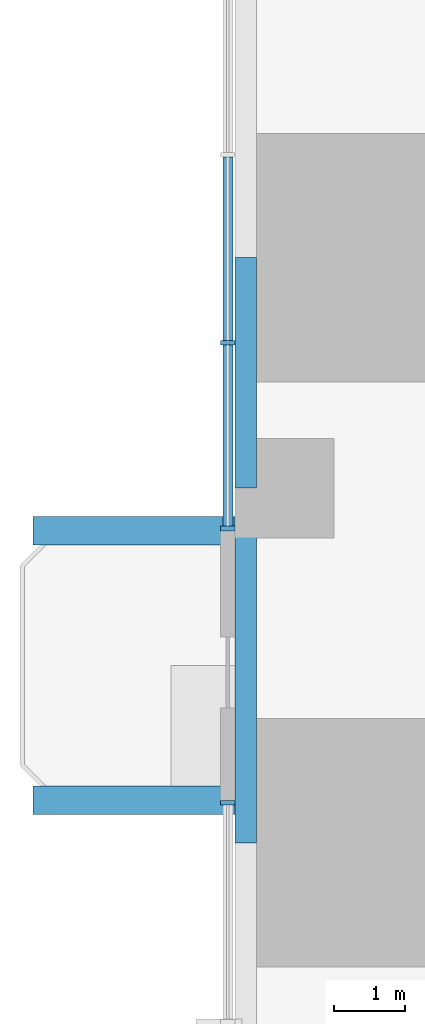
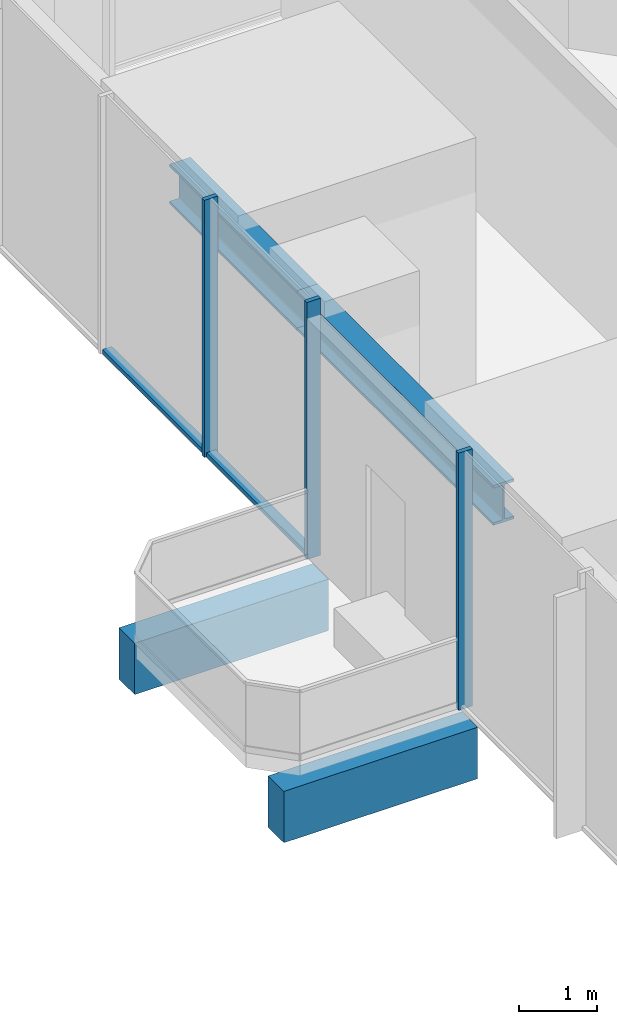
# One storey, part 3 of 15: 5 members, 4 beams, 2 elements without a shape of their own.
"""IFC4 building model written with IfcOpenShell, lengths in metres."""

from ifc_helpers import new_model, si_unit, direction, frame, origin, origin_2d, place, context, subcontext, project, spatial, rectangle, i_section, extrude, material, material_profile, profile_set, type_object, element, aggregate, save


model = new_model("IFC4")

# Units and contexts
model_context = context("Model", 3, precision=1e-05, world=origin(), true_north=direction((0.0, 1.0)))
body_context = subcontext(model_context, "Body", "Model", "MODEL_VIEW")
ifc_project = project(units=[si_unit("LENGTHUNIT", "METRE"), si_unit("AREAUNIT", "SQUARE_METRE"), si_unit("VOLUMEUNIT", "CUBIC_METRE"), si_unit("PLANEANGLEUNIT", "RADIAN"), si_unit("MASSUNIT", "GRAM", prefix="KILO")], contexts=[model_context])

# Site, building, storey
site_placement = place(None, origin())
site = spatial("IfcSite", under=ifc_project, at=site_placement, CompositionType="ELEMENT")
building_placement = place(site_placement, origin())
building = spatial("IfcBuilding", under=site, at=building_placement, Name="Svetlomir Tower", CompositionType="ELEMENT")
storey_placement = place(building_placement, frame((0.0, 0.0, 42.5)))
storey = spatial("IfcBuildingStorey", under=building, at=storey_placement, Name="L09", CompositionType="ELEMENT", Elevation=42.5)

# Beams
ifc_material_1 = material(Name="Concrete C60/75", Category="concrete")
ifc_material_profile_1 = material_profile(ifc_material_1, rectangle(XDim=0.39990234375, YDim=0.800048828125, at=origin_2d()), Name="RC 400x800")
ifc_profile_set_1 = profile_set([ifc_material_profile_1], Name="Concrete C60/75")
beam_type_1 = type_object("IfcBeamType", Name="BALCONY RIB RC 400x800", PredefinedType="BEAM", material=ifc_profile_set_1)
for number, where, z_axis, x_axis, name in (
    (1, (0.0, 21.60009765625, -0.64990234375), (-1.0, 0.0, 0.0), (0.0, -1.0, 0.0), "Balcony rib W 1 L09"),
    (2, (0.0, 25.39990234375, -0.64990234375), (-1.0, 0.0, 0.0), (0.0, -1.0, 0.0), "Balcony rib W 2 L09"),
):
    element("IfcBeam", number, at=place(storey_placement, frame(where, z_axis=z_axis, x_axis=x_axis)), inside=storey, type_object=beam_type_1, Name=name, PredefinedType="BEAM", context=body_context, shape_type="SweptSolid", body=[
        extrude(rectangle(XDim=0.39990234375, YDim=0.800048828125, at=origin_2d()), origin(), (0.0, 0.0, 1.0), 2.85009765625),
    ])

# Curtain wall, members
ifc_material_2 = material(Name="Bronze anodised aluminium curtain wall", Category="aluminium")
curtain_wall_type = type_object("IfcCurtainWallType", Name="CURTAIN WALL CW1 TOWER OFFICE", PredefinedType="NOTDEFINED", material=ifc_material_2)
curtain_wall_1_placement = place(storey_placement, origin())
curtain_wall_1 = element("IfcCurtainWall", 3, at=curtain_wall_1_placement, inside=storey, type_object=curtain_wall_type, Name="Curtain wall CW1 L09", PredefinedType="NOTDEFINED")
ifc_material_3 = material(Name="Bronze anodised aluminium", Category="aluminium")
ifc_material_profile_2 = material_profile(ifc_material_3, rectangle(XDim=0.06494140625, YDim=0.199951171875, at=origin_2d()), Name="AL 65x200")
ifc_profile_set_2 = profile_set([ifc_material_profile_2], Name="Bronze anodised aluminium 6063-T6")
member_type_1 = type_object("IfcMemberType", Name="CW1 MULLION 65x200", PredefinedType="MULLION", material=ifc_profile_set_2)
member_1_placement = place(storey_placement, frame((-0.10009765625, 28.050048828125, 0.0), z_axis=(0.0, 0.0, 1.0), x_axis=(0.0, -1.0, 0.0)))
member_1 = element("IfcMember", 4, at=member_1_placement, type_object=member_type_1, Name="CW1 mullion 4", PredefinedType="MULLION", context=body_context, shape_type="SweptSolid", body=[
    extrude(rectangle(XDim=0.06494140625, YDim=0.199951171875, at=origin_2d()), origin(), (0.0, 0.0, 1.0), 4.0),
])
member_2_placement = place(storey_placement, frame((-0.10009765625, 25.4326171875, 0.0), z_axis=(0.0, 0.0, 1.0), x_axis=(0.0, -1.0, 0.0)))
member_2 = element("IfcMember", 5, at=member_2_placement, type_object=member_type_1, Name="CW1 mullion 5", PredefinedType="MULLION", context=body_context, shape_type="SweptSolid", body=[
    extrude(rectangle(XDim=0.06494140625, YDim=0.199951171875, at=origin_2d()), origin(), (0.0, 0.0, 1.0), 4.0),
])

# Curtain wall, member
curtain_wall_2_placement = place(storey_placement, origin())
curtain_wall_2 = element("IfcCurtainWall", 6, at=curtain_wall_2_placement, inside=storey, type_object=curtain_wall_type, Name="Curtain wall CW1 L09", PredefinedType="NOTDEFINED")
member_3_placement = place(storey_placement, frame((-0.10009765625, 21.5673828125, 0.0), z_axis=(0.0, 0.0, 1.0), x_axis=(0.0, -1.0, 0.0)))
member_3 = element("IfcMember", 7, at=member_3_placement, type_object=member_type_1, Name="CW1 mullion 1", PredefinedType="MULLION", context=body_context, shape_type="SweptSolid", body=[
    extrude(rectangle(XDim=0.06494140625, YDim=0.199951171875, at=origin_2d()), origin(), (0.0, 0.0, 1.0), 4.0),
])
aggregate(curtain_wall_2, [member_3])

# Member
ifc_material_4 = material(Name="Bronze anodised aluminium", Category="aluminium")
ifc_material_profile_3 = material_profile(ifc_material_4, rectangle(XDim=0.139892578125, YDim=0.06494140625, at=origin_2d()), Name="AL 140x65")
ifc_profile_set_3 = profile_set([ifc_material_profile_3], Name="Bronze anodised aluminium 6063-T6")
member_type_2 = type_object("IfcMemberType", Name="CW1 TRANSOM 65x140", PredefinedType="USERDEFINED", material=ifc_profile_set_3)
member_4_placement = place(storey_placement, frame((-0.10009765625, 30.66748046875, 0.032470703125), z_axis=(0.0, -1.0, 0.0), x_axis=(1.0, 0.0, 0.0)))
member_4 = element("IfcMember", 8, at=member_4_placement, type_object=member_type_2, Name="CW1 transom 3.1", ObjectType="TRANSOM", PredefinedType="USERDEFINED", context=body_context, shape_type="SweptSolid", body=[
    extrude(rectangle(XDim=0.139892578125, YDim=0.06494140625, at=origin_2d()), origin(), (0.0, 0.0, 1.0), 2.5849609375),
])

member_5_placement = place(storey_placement, frame((-0.10009765625, 28.017578125, 0.032470703125), z_axis=(0.0, -1.0, 0.0), x_axis=(1.0, 0.0, 0.0)))
member_5 = element("IfcMember", 9, at=member_5_placement, type_object=member_type_2, Name="CW1 transom 4.1", ObjectType="TRANSOM", PredefinedType="USERDEFINED", context=body_context, shape_type="SweptSolid", body=[
    extrude(rectangle(XDim=0.139892578125, YDim=0.06494140625, at=origin_2d()), origin(), (0.0, 0.0, 1.0), 2.552490234375),
])

aggregate(curtain_wall_1, [member_1, member_2, member_4, member_5])

# Beams
ifc_material_5 = material(Name="Steel S355", Category="steel")
ifc_material_profile_4 = material_profile(ifc_material_5, i_section(OverallWidth=0.304931640625, OverallDepth=0.6201171875, WebThickness=0.02099609375, FlangeThickness=0.0400390625, FilletRadius=0.027099609375, at=origin_2d()), Name="HEM 600")
ifc_profile_set_4 = profile_set([ifc_material_profile_4], Name="Steel S355")
beam_type_2 = type_object("IfcBeamType", Name="EDGE BEAM HEM 600", PredefinedType="SPANDREL", material=ifc_profile_set_4)
beam_1_placement = place(storey_placement, frame((0.152587890625, 21.0, 3.43994140625), z_axis=(0.0, 1.0, 0.0), x_axis=(-1.0, 0.0, 0.0)))
element("IfcBeam", 10, at=beam_1_placement, inside=storey, type_object=beam_type_2, Name="Edge beam 0/21 to 0/26 under L10", PredefinedType="SPANDREL", context=body_context, shape_type="SweptSolid", body=[
    extrude(i_section(OverallWidth=0.304931640625, OverallDepth=0.6201171875, WebThickness=0.02099609375, FlangeThickness=0.0400390625, FilletRadius=0.027099609375, at=origin_2d()), origin(), (0.0, 0.0, 1.0), 5.0),
])
beam_2_placement = place(storey_placement, frame((0.152587890625, 26.0, 3.43994140625), z_axis=(0.0, 1.0, 0.0), x_axis=(-1.0, 0.0, 0.0)))
element("IfcBeam", 11, at=beam_2_placement, inside=storey, type_object=beam_type_2, Name="Edge beam 0/26 to 0/31 under L10", PredefinedType="SPANDREL", context=body_context, shape_type="SweptSolid", body=[
    extrude(i_section(OverallWidth=0.304931640625, OverallDepth=0.6201171875, WebThickness=0.02099609375, FlangeThickness=0.0400390625, FilletRadius=0.027099609375, at=origin_2d()), origin(), (0.0, 0.0, 1.0), 3.25),
])

save(model, "model.ifc")
